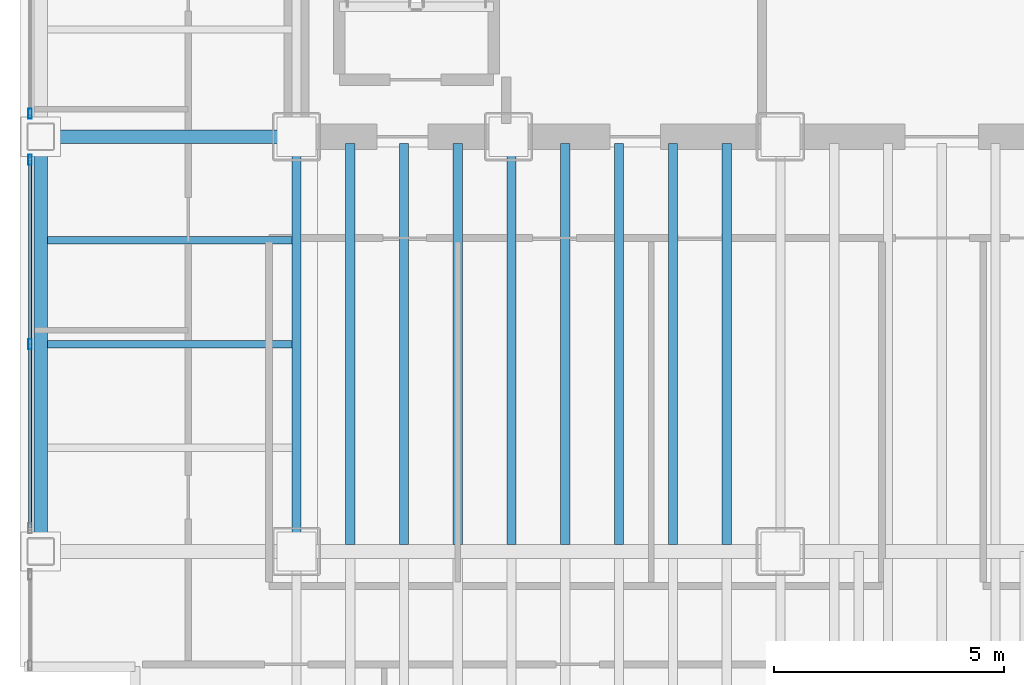
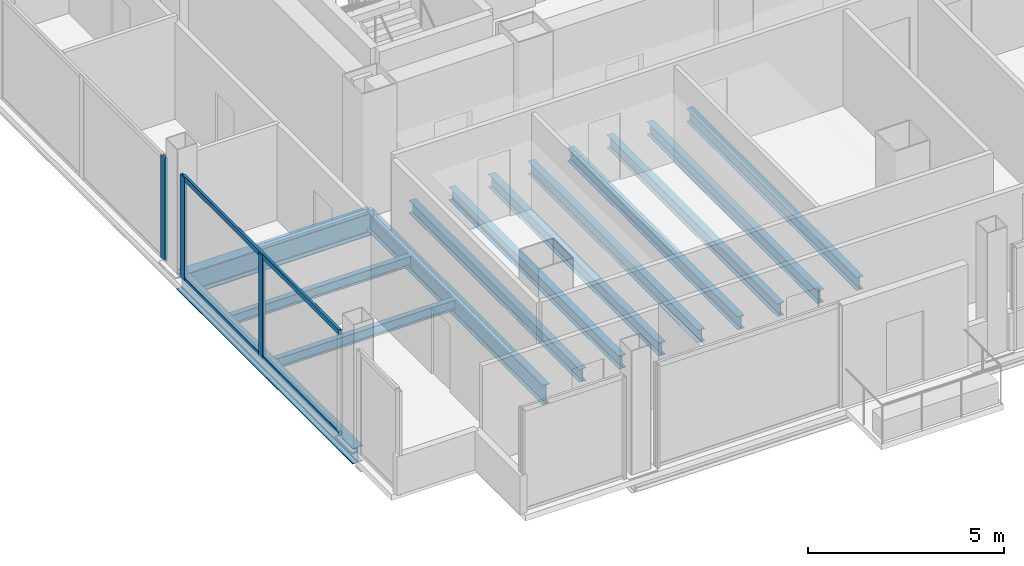
# One storey, part 3 of 20: 13 beams, 5 members, 2 elements without a shape of their own.
"""IFC4 building model written with IfcOpenShell, lengths in metres."""

from ifc_helpers import new_model, si_unit, direction, frame, origin, origin_2d, place, context, subcontext, project, spatial, hollow_rectangle, i_section, extrude, material, material_profile, profile_set, type_object, element, aggregate, save


model = new_model("IFC4")

# Units and contexts
model_context = context("Model", 3, precision=1e-05, world=origin(), true_north=direction((0.0, 1.0)))
body_context = subcontext(model_context, "Body", "Model", "MODEL_VIEW")
ifc_project = project(units=[si_unit("LENGTHUNIT", "METRE"), si_unit("AREAUNIT", "SQUARE_METRE"), si_unit("VOLUMEUNIT", "CUBIC_METRE"), si_unit("PLANEANGLEUNIT", "RADIAN"), si_unit("MASSUNIT", "GRAM", prefix="KILO")], contexts=[model_context])

# Site, building, storey
site_placement = place(None, origin())
site = spatial("IfcSite", under=ifc_project, at=site_placement, CompositionType="ELEMENT")
building_placement = place(site_placement, origin())
building = spatial("IfcBuilding", under=site, at=building_placement, Name="Noeulbin Bourse Tower", CompositionType="ELEMENT")
storey_placement = place(building_placement, frame((0.0, 0.0, 57.699951171875)))
storey = spatial("IfcBuildingStorey", under=building, at=storey_placement, Name="L14", CompositionType="ELEMENT", Elevation=57.699951171875)

# Beams
ifc_material_1 = material(Name="Steel S355", Category="steel")
ifc_material_profile_1 = material_profile(ifc_material_1, i_section(OverallWidth=0.199951171875, OverallDepth=0.60009765625, WebThickness=0.010986328125, FlangeThickness=0.01708984375, FilletRadius=0.02197265625, at=origin_2d()), Name="H-600x200x11x17", Category="LoadBearing")
ifc_profile_set_1 = profile_set([ifc_material_profile_1], Name="Steel S355")
beam_type_1 = type_object("IfcBeamType", Name="BM-GRD-600", PredefinedType="USERDEFINED", material=ifc_profile_set_1)
beam_1_placement = place(storey_placement, frame((13.5, 20.0, -0.47998046875), z_axis=(0.0, 1.0, 0.0), x_axis=(-1.0, 0.0, 0.0)))
element("IfcBeam", 1, at=beam_1_placement, inside=storey, type_object=beam_type_1, Name="Tower Primary Girder NS L14-1.2", ObjectType="GIRDER", PredefinedType="USERDEFINED", context=body_context, shape_type="SweptSolid", body=[
    extrude(i_section(OverallWidth=0.199951171875, OverallDepth=0.60009765625, WebThickness=0.010986328125, FlangeThickness=0.01708984375, FilletRadius=0.02197265625, at=origin_2d()), origin(), (0.0, 0.0, 1.0), 9.0),
])
ifc_material_profile_2 = material_profile(ifc_material_1, i_section(OverallWidth=0.300048828125, OverallDepth=0.699951171875, WebThickness=0.012939453125, FlangeThickness=0.02392578125, FilletRadius=0.02392578125, at=origin_2d()), Name="H-700x300x13x24", Category="LoadBearing")
ifc_profile_set_2 = profile_set([ifc_material_profile_2], Name="Steel S355")
beam_type_2 = type_object("IfcBeamType", Name="BM-GRD-700", PredefinedType="USERDEFINED", material=ifc_profile_set_2)
beam_2_placement = place(storey_placement, frame((7.949951171875, 29.0, -0.530029296875), z_axis=(1.0, 0.0, 0.0), x_axis=(0.0, 1.0, 0.0)))
element("IfcBeam", 2, at=beam_2_placement, inside=storey, type_object=beam_type_2, Name="Tower Primary Girder EW L14-2.1", ObjectType="GIRDER", PredefinedType="USERDEFINED", context=body_context, shape_type="SweptSolid", body=[
    extrude(i_section(OverallWidth=0.300048828125, OverallDepth=0.699951171875, WebThickness=0.012939453125, FlangeThickness=0.02392578125, FilletRadius=0.02392578125, at=origin_2d()), origin(), (0.0, 0.0, 1.0), 5.550048828125),
])
ifc_material_profile_3 = material_profile(ifc_material_1, i_section(OverallWidth=0.159912109375, OverallDepth=0.320068359375, WebThickness=0.006591796875, FlangeThickness=0.010009765625, FilletRadius=0.012939453125, at=origin_2d()), Name="H-320x160x6.5x10", Category="LoadBearing")
ifc_profile_set_3 = profile_set([ifc_material_profile_3], Name="Steel S355")
beam_type_3 = type_object("IfcBeamType", Name="BM-JST-320", PredefinedType="JOIST", material=ifc_profile_set_3)
for number, where, z_axis, x_axis, name in (
    (3, (8.10009765625, 24.5, -0.33984375), (1.0, 0.0, 0.0), (0.0, 1.0, 0.0), "Wing Composite Joist L14-W71"),
    (4, (8.10009765625, 26.75, -0.33984375), (1.0, 0.0, 0.0), (0.0, 1.0, 0.0), "Wing Composite Joist L14-W72"),
):
    element("IfcBeam", number, at=place(storey_placement, frame(where, z_axis=z_axis, x_axis=x_axis)), inside=storey, type_object=beam_type_3, Name=name, PredefinedType="JOIST", context=body_context, shape_type="SweptSolid", body=[
        extrude(i_section(OverallWidth=0.159912109375, OverallDepth=0.320068359375, WebThickness=0.006591796875, FlangeThickness=0.010009765625, FilletRadius=0.012939453125, at=origin_2d()), origin(), (0.0, 0.0, 1.0), 5.2998046875),
    ])
ifc_material_profile_4 = material_profile(ifc_material_1, i_section(OverallWidth=0.199951171875, OverallDepth=0.39990234375, WebThickness=0.008056640625, FlangeThickness=0.012939453125, FilletRadius=0.01611328125, at=origin_2d()), Name="H-400x200x8x13", Category="LoadBearing")
ifc_profile_set_4 = profile_set([ifc_material_profile_4], Name="Steel S355")
beam_type_4 = type_object("IfcBeamType", Name="BM-SEC-400", PredefinedType="BEAM", material=ifc_profile_set_4)
for number, where, z_axis, x_axis, name in (
    (5, (14.666748046875, 20.14990234375, -0.3798828125), (0.0, 1.0, 0.0), (-1.0, 0.0, 0.0), "Tower Composite Joist L14-02"),
    (6, (15.833251953125, 20.14990234375, -0.3798828125), (0.0, 1.0, 0.0), (-1.0, 0.0, 0.0), "Tower Composite Joist L14-05"),
    (7, (17.0, 20.14990234375, -0.3798828125), (0.0, 1.0, 0.0), (-1.0, 0.0, 0.0), "Tower Composite Joist L14-08"),
    (8, (18.166748046875, 20.14990234375, -0.3798828125), (0.0, 1.0, 0.0), (-1.0, 0.0, 0.0), "Tower Composite Joist L14-11"),
    (9, (19.333251953125, 20.14990234375, -0.3798828125), (0.0, 1.0, 0.0), (-1.0, 0.0, 0.0), "Tower Composite Joist L14-14"),
    (10, (20.5, 20.14990234375, -0.3798828125), (0.0, 1.0, 0.0), (-1.0, 0.0, 0.0), "Tower Composite Joist L14-17"),
    (11, (21.666748046875, 20.14990234375, -0.3798828125), (0.0, 1.0, 0.0), (-1.0, 0.0, 0.0), "Tower Composite Joist L14-20"),
    (12, (22.833251953125, 20.14990234375, -0.3798828125), (0.0, 1.0, 0.0), (-1.0, 0.0, 0.0), "Tower Composite Joist L14-23"),
):
    element("IfcBeam", number, at=place(storey_placement, frame(where, z_axis=z_axis, x_axis=x_axis)), inside=storey, type_object=beam_type_4, Name=name, PredefinedType="BEAM", context=body_context, shape_type="SweptSolid", body=[
        extrude(i_section(OverallWidth=0.199951171875, OverallDepth=0.39990234375, WebThickness=0.008056640625, FlangeThickness=0.012939453125, FilletRadius=0.01611328125, at=origin_2d()), origin(), (0.0, 0.0, 1.0), 8.7001953125),
    ])
ifc_material_profile_5 = material_profile(ifc_material_1, i_section(OverallWidth=0.300048828125, OverallDepth=0.488037109375, WebThickness=0.010986328125, FlangeThickness=0.01806640625, FilletRadius=0.02197265625, at=origin_2d()), Name="H-488x300x11x18", Category="LoadBearing")
ifc_profile_set_5 = profile_set([ifc_material_profile_5], Name="Steel S355")
beam_type_5 = type_object("IfcBeamType", Name="BM-SPN-488", PredefinedType="SPANDREL", material=ifc_profile_set_5)
beam_3_placement = place(storey_placement, frame((7.949951171875, 20.0, -0.424072265625), z_axis=(0.0, 1.0, 0.0), x_axis=(-1.0, 0.0, 0.0)))
element("IfcBeam", 13, at=beam_3_placement, inside=storey, type_object=beam_type_5, Name="West Spandrel L14-1", PredefinedType="SPANDREL", context=body_context, shape_type="SweptSolid", body=[
    extrude(i_section(OverallWidth=0.300048828125, OverallDepth=0.488037109375, WebThickness=0.010986328125, FlangeThickness=0.01806640625, FilletRadius=0.02197265625, at=origin_2d()), origin(), (0.0, 0.0, 1.0), 9.0),
])

# Curtain wall, members
ifc_material_2 = material(Name="Dark Solar-Control Double Glazing", Category="glass")
curtain_wall_type = type_object("IfcCurtainWallType", Name="CW-SYS-2", PredefinedType="NOTDEFINED", material=ifc_material_2)
curtain_wall_1_placement = place(storey_placement, origin())
curtain_wall_1 = element("IfcCurtainWall", 14, at=curtain_wall_1_placement, inside=storey, type_object=curtain_wall_type, Name="Unitised Curtain Wall CW-L14-W-S2", PredefinedType="NOTDEFINED")
ifc_material_3 = material(Name="Anodised Aluminium 6063-T6", Category="aluminium")
ifc_material_profile_6 = material_profile(ifc_material_3, hollow_rectangle(XDim=0.074951171875, YDim=0.219970703125, WallThickness=0.0048828125, InnerFilletRadius=0.00244140625, OuterFilletRadius=0.0048828125, at=origin_2d()), Name="ALU-MULL-75x220x5", Category="LoadBearing")
ifc_profile_set_6 = profile_set([ifc_material_profile_6], Name="Anodised Aluminium 6063-T6")
member_type_1 = type_object("IfcMemberType", Name="CW-SYS-2-MUL", PredefinedType="MULLION", material=ifc_profile_set_6)
member_1_placement = place(storey_placement, frame((7.719970703125, 24.5, -0.02001953125), z_axis=(0.0, 0.0, 1.0), x_axis=(1.0, 0.0, 0.0)))
member_1 = element("IfcMember", 15, at=member_1_placement, type_object=member_type_1, Name="Curtain Wall Mullion CW-L14-W-S2-M01", PredefinedType="MULLION", context=body_context, shape_type="SweptSolid", body=[
    extrude(hollow_rectangle(XDim=0.074951171875, YDim=0.219970703125, WallThickness=0.0048828125, InnerFilletRadius=0.00244140625, OuterFilletRadius=0.0048828125, at=origin_2d()), origin(), (0.0, 0.0, 1.0), 3.219970703125),
])
member_2_placement = place(storey_placement, frame((7.719970703125, 28.5, -0.02001953125), z_axis=(0.0, 0.0, 1.0), x_axis=(1.0, 0.0, 0.0)))
member_2 = element("IfcMember", 16, at=member_2_placement, type_object=member_type_1, Name="Curtain Wall Mullion CW-L14-W-S2-M02", PredefinedType="MULLION", context=body_context, shape_type="SweptSolid", body=[
    extrude(hollow_rectangle(XDim=0.074951171875, YDim=0.219970703125, WallThickness=0.0048828125, InnerFilletRadius=0.00244140625, OuterFilletRadius=0.0048828125, at=origin_2d()), origin(), (0.0, 0.0, 1.0), 3.219970703125),
])

# Curtain wall, member
curtain_wall_2_placement = place(storey_placement, origin())
curtain_wall_2 = element("IfcCurtainWall", 17, at=curtain_wall_2_placement, inside=storey, type_object=curtain_wall_type, Name="Unitised Curtain Wall CW-L14-W-S3", PredefinedType="NOTDEFINED")
member_3_placement = place(storey_placement, frame((7.719970703125, 29.5, -0.02001953125), z_axis=(0.0, 0.0, 1.0), x_axis=(1.0, 0.0, 0.0)))
member_3 = element("IfcMember", 18, at=member_3_placement, type_object=member_type_1, Name="Curtain Wall Mullion CW-L14-W-S3-M00", PredefinedType="MULLION", context=body_context, shape_type="SweptSolid", body=[
    extrude(hollow_rectangle(XDim=0.074951171875, YDim=0.219970703125, WallThickness=0.0048828125, InnerFilletRadius=0.00244140625, OuterFilletRadius=0.0048828125, at=origin_2d()), origin(), (0.0, 0.0, 1.0), 3.219970703125),
])
aggregate(curtain_wall_2, [member_3])

# Member
ifc_material_profile_7 = material_profile(ifc_material_3, hollow_rectangle(XDim=0.074951171875, YDim=0.159912109375, WallThickness=0.0048828125, InnerFilletRadius=0.00244140625, OuterFilletRadius=0.0048828125, at=origin_2d()), Name="ALU-TRAN-75x160x5", Category="LoadBearing")
ifc_profile_set_7 = profile_set([ifc_material_profile_7], Name="Anodised Aluminium 6063-T6")
member_type_2 = type_object("IfcMemberType", Name="CW-SYS-2-TRN", PredefinedType="USERDEFINED", material=ifc_profile_set_7)
member_4_placement = place(storey_placement, frame((7.719970703125, 20.510009765625, 0.010009765625), z_axis=(0.0, 1.0, 0.0), x_axis=(-1.0, 0.0, 0.0)))
member_4 = element("IfcMember", 19, at=member_4_placement, type_object=member_type_2, Name="Curtain Wall Transom CW-L14-W-S2-T00", ObjectType="TRANSOM", PredefinedType="USERDEFINED", context=body_context, shape_type="SweptSolid", body=[
    extrude(hollow_rectangle(XDim=0.074951171875, YDim=0.159912109375, WallThickness=0.0048828125, InnerFilletRadius=0.00244140625, OuterFilletRadius=0.0048828125, at=origin_2d()), origin(), (0.0, 0.0, 1.0), 7.97998046875),
])

member_5_placement = place(storey_placement, frame((7.719970703125, 20.510009765625, 3.170166015625), z_axis=(0.0, 1.0, 0.0), x_axis=(-1.0, 0.0, 0.0)))
member_5 = element("IfcMember", 20, at=member_5_placement, type_object=member_type_2, Name="Curtain Wall Transom CW-L14-W-S2-T01", ObjectType="TRANSOM", PredefinedType="USERDEFINED", context=body_context, shape_type="SweptSolid", body=[
    extrude(hollow_rectangle(XDim=0.074951171875, YDim=0.159912109375, WallThickness=0.0048828125, InnerFilletRadius=0.00244140625, OuterFilletRadius=0.0048828125, at=origin_2d()), origin(), (0.0, 0.0, 1.0), 7.97998046875),
])

aggregate(curtain_wall_1, [member_1, member_2, member_4, member_5])

save(model, "model.ifc")
